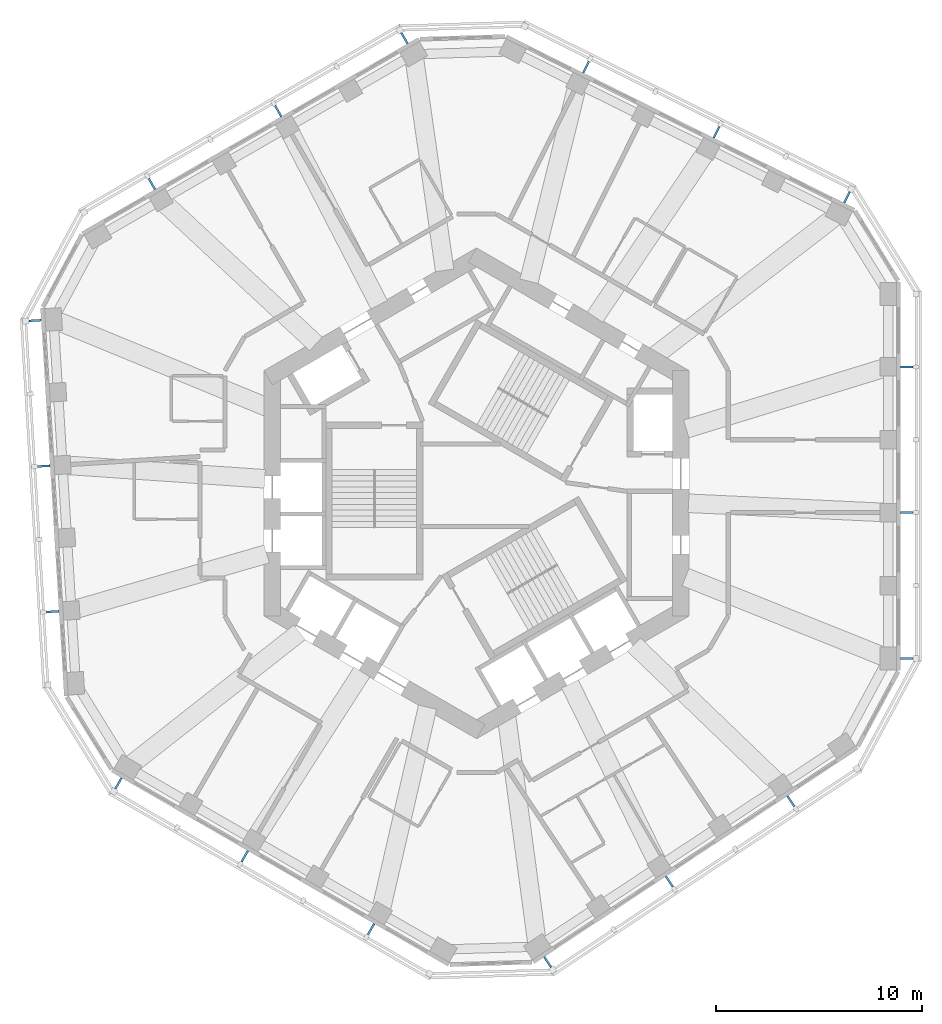
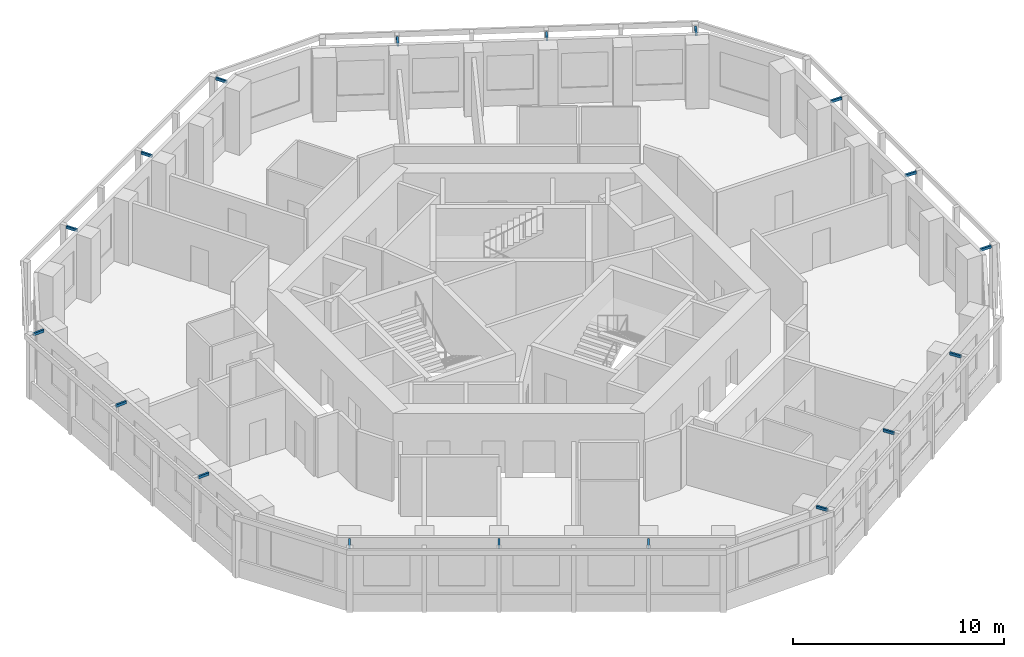
# One storey, part 10 of 11: 18 discrete accessories.
"""IFC4 building model written with IfcOpenShell, lengths in metres."""

from ifc_helpers import new_model, si_unit, direction, frame, origin, origin_2d, place, context, subcontext, project, spatial, rectangle, extrude, material, type_object, element, save


model = new_model("IFC4")

# Units and contexts
model_context = context("Model", 3, precision=1e-05, world=origin(), true_north=direction((0.0, 1.0)))
body_context = subcontext(model_context, "Body", "Model", "MODEL_VIEW")
ifc_project = project(units=[si_unit("LENGTHUNIT", "METRE"), si_unit("AREAUNIT", "SQUARE_METRE"), si_unit("VOLUMEUNIT", "CUBIC_METRE"), si_unit("PLANEANGLEUNIT", "RADIAN"), si_unit("MASSUNIT", "GRAM", prefix="KILO")], contexts=[model_context])

# Site, building, storey
site_placement = place(None, origin())
site = spatial("IfcSite", under=ifc_project, at=site_placement, CompositionType="ELEMENT")
building_placement = place(site_placement, origin())
building = spatial("IfcBuilding", under=site, at=building_placement, Name="Vanh Sen Convention Tower", CompositionType="ELEMENT")
storey_placement = place(building_placement, frame((0.0, 0.0, 232.800048828125)))
storey = spatial("IfcBuildingStorey", under=building, at=storey_placement, Name="L57", CompositionType="ELEMENT", Elevation=232.800048828125)

# Discrete accessories
ifc_material = material(Name="Steel S355", Category="steel")
discrete_accessory_type = type_object("IfcDiscreteAccessoryType", Name="Fin bracket 100 x 150", PredefinedType="BRACKET", material=ifc_material)
for number, where, z_axis, x_axis, name in (
    (1, (20.85009765625, -8.002685546875, 3.5), (0.0, 0.0, 1.0), (1.0, 0.0, 0.0), "Fin bracket E-1 L57"),
    (2, (20.85009765625, -0.935546875, 3.5), (0.0, 0.0, 1.0), (1.0, 0.0, 0.0), "Fin bracket E-3 L57"),
    (3, (20.85009765625, 6.131591796875, 3.5), (0.0, 0.0, 1.0), (1.0, 0.0, 0.0), "Fin bracket E-5 L57"),
    (4, (17.953125, 14.3466796875, 3.5), (0.0, 0.0, 1.0), (0.44619781311, 0.894934361602, 0.0), "Fin bracket NE-1 L57"),
    (5, (11.62841796875, 17.5, 3.5), (0.0, 0.0, 1.0), (0.44619781311, 0.894934361602, 0.0), "Fin bracket NE-3 L57"),
    (6, (5.3037109375, 20.653564453125, 3.5), (0.0, 0.0, 1.0), (0.44619781311, 0.894934361602, 0.0), "Fin bracket NE-5 L57"),
    (7, (-3.494384765625, 22.05810546875, 3.5), (0.0, 0.0, 1.0), (-0.5, 0.866025403784, 0.0), "Fin bracket NW-1 L57"),
    (8, (-9.61474609375, 18.5244140625, 3.5), (0.0, 0.0, 1.0), (-0.5, 0.866025403784, 0.0), "Fin bracket NW-3 L57"),
    (9, (-15.735107421875, 14.99072265625, 3.5), (0.0, 0.0, 1.0), (-0.5, 0.866025403784, 0.0), "Fin bracket NW-5 L57"),
    (10, (-21.401123046875, 8.37451171875, 3.5), (0.0, 0.0, 1.0), (-0.998134798422, -0.061048539535, 0.0), "Fin bracket W-1 L57"),
    (11, (-20.9697265625, 1.3203125, 3.5), (0.0, 0.0, 1.0), (-0.998134798422, -0.061048539535, 0.0), "Fin bracket W-3 L57"),
    (12, (-20.538330078125, -5.733642578125, 3.5), (0.0, 0.0, 1.0), (-0.998134798422, -0.061048539535, 0.0), "Fin bracket W-5 L57"),
    (13, (-17.355712890625, -14.05517578125, 3.5), (0.0, 0.0, 1.0), (-0.5, -0.866025403784, 0.0), "Fin bracket SW-1 L57"),
    (14, (-11.235107421875, -17.5888671875, 3.5), (0.0, 0.0, 1.0), (-0.5, -0.866025403784, 0.0), "Fin bracket SW-3 L57"),
    (15, (-5.11474609375, -21.12255859375, 3.5), (0.0, 0.0, 1.0), (-0.5, -0.866025403784, 0.0), "Fin bracket SW-5 L57"),
    (16, (3.447998046875, -22.72119140625, 3.5), (0.0, 0.0, 1.0), (0.551936985312, -0.833885822067, 0.0), "Fin bracket SE-1 L57"),
    (17, (9.34130859375, -18.820556640625, 3.5), (0.0, 0.0, 1.0), (0.551936985312, -0.833885822067, 0.0), "Fin bracket SE-3 L57"),
    (18, (15.234619140625, -14.919921875, 3.5), (0.0, 0.0, 1.0), (0.551936985312, -0.833885822067, 0.0), "Fin bracket SE-5 L57"),
):
    element("IfcDiscreteAccessory", number, at=place(storey_placement, frame(where, z_axis=z_axis, x_axis=x_axis)), inside=storey, type_object=discrete_accessory_type, Name=name, PredefinedType="BRACKET", context=body_context, shape_type="SweptSolid", body=[
        extrude(rectangle(XDim=0.60009765625, YDim=0.10009765625, at=origin_2d()), origin(), (0.0, 0.0, 1.0), 0.14990234375),
    ])

save(model, "model.ifc")
